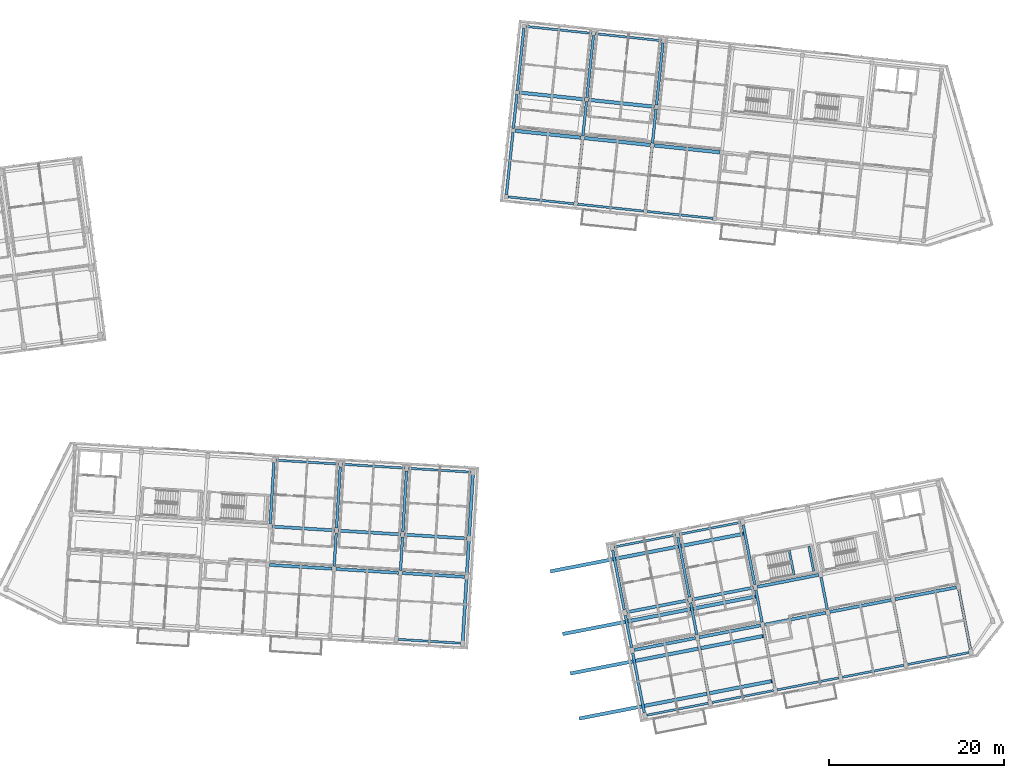
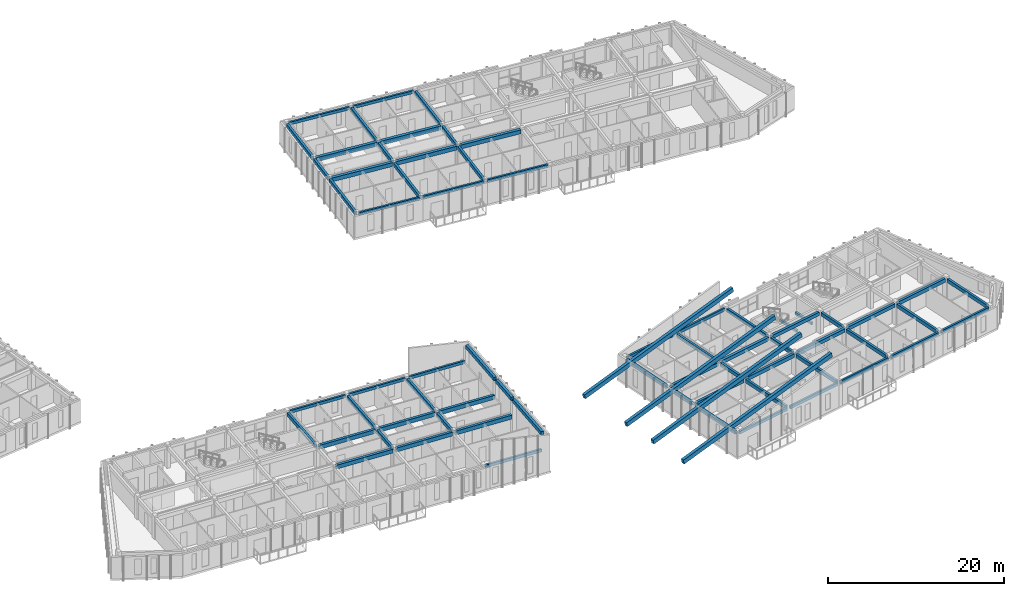
# One storey, part 9 of 64: 71 beams.
"""IFC4 building model written with IfcOpenShell, lengths in metres."""

from ifc_helpers import new_model, si_unit, direction, frame, origin, origin_2d, place, context, subcontext, project, spatial, rectangle, extrude, material, material_profile, profile_set, type_object, element, save


model = new_model("IFC4")

# Units and contexts
model_context = context("Model", 3, precision=1e-05, world=origin(), true_north=direction((0.0, 1.0)))
body_context = subcontext(model_context, "Body", "Model", "MODEL_VIEW")
ifc_project = project(units=[si_unit("LENGTHUNIT", "METRE"), si_unit("AREAUNIT", "SQUARE_METRE"), si_unit("VOLUMEUNIT", "CUBIC_METRE"), si_unit("PLANEANGLEUNIT", "RADIAN"), si_unit("MASSUNIT", "GRAM", prefix="KILO")], contexts=[model_context])

# Site, building, storey
site_placement = place(None, origin())
site = spatial("IfcSite", under=ifc_project, at=site_placement, CompositionType="ELEMENT")
building_placement = place(site_placement, origin())
building = spatial("IfcBuilding", under=site, at=building_placement, Name="Kestramere Prow Commons", CompositionType="ELEMENT")
storey_placement = place(building_placement, frame((0.0, 0.0, 24.64990234375)))
storey = spatial("IfcBuildingStorey", under=building, at=storey_placement, Name="L07", CompositionType="ELEMENT", Elevation=24.64990234375)

# Beams
ifc_material_1 = material(Name="Precast concrete C40/50", Category="concrete")
ifc_material_profile_1 = material_profile(ifc_material_1, rectangle(XDim=0.39990234375, YDim=0.550048828125, at=origin_2d()), Name="PC-BM 400x550")
ifc_profile_set_1 = profile_set([ifc_material_profile_1], Name="Precast concrete C40/50")
beam_type_1 = type_object("IfcBeamType", Name="BM-B1 PC-BM 400x550", PredefinedType="BEAM", material=ifc_profile_set_1)
beam_1_placement = place(storey_placement, frame((111.01806640625, 102.3349609375, 2.72509765625), z_axis=(0.994520503149, -0.104541708502, 0.0), x_axis=(0.104541708502, 0.994520503149, 0.0)))
element("IfcBeam", 1, at=beam_1_placement, inside=storey, type_object=beam_type_1, Name="Block B L07 Longitudinal Beam 2-1", PredefinedType="BEAM", context=body_context, shape_type="SweptSolid", body=[
    extrude(rectangle(XDim=0.39990234375, YDim=0.550048828125, at=origin_2d()), origin(), (0.0, 0.0, 1.0), 7.550048828125),
])
beam_2_placement = place(storey_placement, frame((118.974365234375, 101.49853515625, 2.72509765625), z_axis=(0.994523511366, -0.104513086937, 0.0), x_axis=(0.104513086937, 0.994523511366, 0.0)))
element("IfcBeam", 2, at=beam_2_placement, inside=storey, type_object=beam_type_1, Name="Block B L07 Longitudinal Beam 2-2", PredefinedType="BEAM", context=body_context, shape_type="SweptSolid", body=[
    extrude(rectangle(XDim=0.39990234375, YDim=0.550048828125, at=origin_2d()), origin(), (0.0, 0.0, 1.0), 7.5498046875),
])
for number, where, z_axis, x_axis, name in (
    (3, (126.930419921875, 100.662353515625, 2.72509765625), (0.994523864565, -0.104509725916, 0.0), (0.104509725916, 0.994523864565, 0.0), "Block B L07 Longitudinal Beam 2-3"),
    (4, (111.47802734375, 106.710693359375, 2.72509765625), (0.994523864565, -0.104509725916, 0.0), (0.104509725916, 0.994523864565, 0.0), "Block B L07 Longitudinal Beam 3-1"),
):
    element("IfcBeam", number, at=place(storey_placement, frame(where, z_axis=z_axis, x_axis=x_axis)), inside=storey, type_object=beam_type_1, Name=name, PredefinedType="BEAM", context=body_context, shape_type="SweptSolid", body=[
        extrude(rectangle(XDim=0.39990234375, YDim=0.550048828125, at=origin_2d()), origin(), (0.0, 0.0, 1.0), 7.550048828125),
    ])
beam_3_placement = place(storey_placement, frame((119.434326171875, 105.87451171875, 2.72509765625), z_axis=(0.994520149735, -0.104545070528, 0.0), x_axis=(0.104545070528, 0.994520149735, 0.0)))
element("IfcBeam", 5, at=beam_3_placement, inside=storey, type_object=beam_type_1, Name="Block B L07 Longitudinal Beam 3-2", PredefinedType="BEAM", context=body_context, shape_type="SweptSolid", body=[
    extrude(rectangle(XDim=0.39990234375, YDim=0.550048828125, at=origin_2d()), origin(), (0.0, 0.0, 1.0), 7.5498046875),
])
ifc_material_profile_2 = material_profile(ifc_material_1, rectangle(XDim=0.35009765625, YDim=0.550048828125, at=origin_2d()), Name="PC-BM 350x550")
ifc_profile_set_2 = profile_set([ifc_material_profile_2], Name="Precast concrete C40/50")
beam_type_2 = type_object("IfcBeamType", Name="BM-C1 PC-BM 350x550", PredefinedType="BEAM", material=ifc_profile_set_2)
for number, where, z_axis, x_axis, name in (
    (6, (82.946044921875, 52.68017578125, 2.72509765625), (0.998134602239, -0.061051747017, 0.0), (0.061051747017, 0.998134602239, 0.0), "Block C L07 Longitudinal Beam 2-4"),
    (7, (90.53173828125, 52.21630859375, 2.72509765625), (0.998134602239, -0.061051747017, 0.0), (0.061051747017, 0.998134602239, 0.0), "Block C L07 Longitudinal Beam 2-5"),
    (8, (98.11767578125, 51.752197265625, 2.72509765625), (0.998134602239, -0.061051747017, 0.0), (0.061051747017, 0.998134602239, 0.0), "Block C L07 Longitudinal Beam 2-6"),
    (9, (83.214599609375, 57.072021484375, 2.72509765625), (0.998134602239, -0.061051747017, 0.0), (0.061051747017, 0.998134602239, 0.0), "Block C L07 Longitudinal Beam 3-4"),
):
    element("IfcBeam", number, at=place(storey_placement, frame(where, z_axis=z_axis, x_axis=x_axis)), inside=storey, type_object=beam_type_2, Name=name, PredefinedType="BEAM", context=body_context, shape_type="SweptSolid", body=[
        extrude(rectangle(XDim=0.35009765625, YDim=0.550048828125, at=origin_2d()), origin(), (0.0, 0.0, 1.0), 7.150146484375),
    ])
beam_4_placement = place(storey_placement, frame((90.800537109375, 56.60791015625, 2.72509765625), z_axis=(0.998136555268, -0.061019808568, 0.0), x_axis=(0.061019808568, 0.998136555268, 0.0)))
element("IfcBeam", 10, at=beam_4_placement, inside=storey, type_object=beam_type_2, Name="Block C L07 Longitudinal Beam 3-5", PredefinedType="BEAM", context=body_context, shape_type="SweptSolid", body=[
    extrude(rectangle(XDim=0.35009765625, YDim=0.550048828125, at=origin_2d()), origin(), (0.0, 0.0, 1.0), 7.14990234375),
])
beam_5_placement = place(storey_placement, frame((98.38623046875, 56.14404296875, 2.72509765625), z_axis=(0.998134602239, -0.061051747017, 0.0), x_axis=(0.061051747017, 0.998134602239, 0.0)))
element("IfcBeam", 11, at=beam_5_placement, inside=storey, type_object=beam_type_2, Name="Block C L07 Longitudinal Beam 3-6", PredefinedType="BEAM", context=body_context, shape_type="SweptSolid", body=[
    extrude(rectangle(XDim=0.35009765625, YDim=0.550048828125, at=origin_2d()), origin(), (0.0, 0.0, 1.0), 7.150146484375),
])
ifc_material_profile_3 = material_profile(ifc_material_1, rectangle(XDim=0.35009765625, YDim=0.5, at=origin_2d()), Name="PC-BM 350x500")
ifc_profile_set_3 = profile_set([ifc_material_profile_3], Name="Precast concrete C40/50")
beam_type_3 = type_object("IfcBeamType", Name="BM-D1 PC-BM 350x500", PredefinedType="BEAM", material=ifc_profile_set_3)
for number, where, z_axis, x_axis, name in (
    (12, (124.631103515625, 42.953369140625, 2.75), (0.981627472063, 0.190807510571, 0.0), (-0.190807510571, 0.981627472063, 0.0), "Block D L07 Longitudinal Beam 2-2"),
    (13, (132.091552734375, 44.403564453125, 2.75), (0.981627472063, 0.190807510571, 0.0), (-0.190807510571, 0.981627472063, 0.0), "Block D L07 Longitudinal Beam 2-3"),
):
    element("IfcBeam", number, at=place(storey_placement, frame(where, z_axis=z_axis, x_axis=x_axis)), inside=storey, type_object=beam_type_3, Name=name, PredefinedType="BEAM", context=body_context, shape_type="SweptSolid", body=[
        extrude(rectangle(XDim=0.35009765625, YDim=0.5, at=origin_2d()), origin(), (0.0, 0.0, 1.0), 7.14990234375),
    ])
beam_6_placement = place(storey_placement, frame((139.5517578125, 45.853759765625, 2.75), z_axis=(0.981628715169, 0.190801115182, 0.0), x_axis=(-0.190801115182, 0.981628715169, 0.0)))
element("IfcBeam", 14, at=beam_6_placement, inside=storey, type_object=beam_type_3, Name="Block D L07 Longitudinal Beam 2-4", PredefinedType="BEAM", context=body_context, shape_type="SweptSolid", body=[
    extrude(rectangle(XDim=0.35009765625, YDim=0.5, at=origin_2d()), origin(), (0.0, 0.0, 1.0), 7.150146484375),
])
for number, where, z_axis, x_axis, name in (
    (15, (147.01220703125, 47.303955078125, 2.75), (0.981627472063, 0.190807510571, 0.0), (-0.190807510571, 0.981627472063, 0.0), "Block D L07 Longitudinal Beam 2-5"),
    (16, (154.47265625, 48.754150390625, 2.75), (0.981627472063, 0.190807510571, 0.0), (-0.190807510571, 0.981627472063, 0.0), "Block D L07 Longitudinal Beam 2-6"),
    (17, (123.79150390625, 47.272705078125, 2.75), (0.981627472063, 0.190807510571, 0.0), (-0.190807510571, 0.981627472063, 0.0), "Block D L07 Longitudinal Beam 3-2"),
    (18, (131.251953125, 48.72265625, 2.75), (0.981621075955, 0.19084041302, 0.0), (-0.19084041302, 0.981621075955, 0.0), "Block D L07 Longitudinal Beam 3-3"),
):
    element("IfcBeam", number, at=place(storey_placement, frame(where, z_axis=z_axis, x_axis=x_axis)), inside=storey, type_object=beam_type_3, Name=name, PredefinedType="BEAM", context=body_context, shape_type="SweptSolid", body=[
        extrude(rectangle(XDim=0.35009765625, YDim=0.5, at=origin_2d()), origin(), (0.0, 0.0, 1.0), 7.14990234375),
    ])
beam_7_placement = place(storey_placement, frame((138.712158203125, 50.1728515625, 2.75), z_axis=(0.981628715169, 0.190801115182, 0.0), x_axis=(-0.190801115182, 0.981628715169, 0.0)))
element("IfcBeam", 19, at=beam_7_placement, inside=storey, type_object=beam_type_3, Name="Block D L07 Longitudinal Beam 3-4", PredefinedType="BEAM", context=body_context, shape_type="SweptSolid", body=[
    extrude(rectangle(XDim=0.35009765625, YDim=0.5, at=origin_2d()), origin(), (0.0, 0.0, 1.0), 7.150146484375),
])
ifc_material_2 = material(Name="Concrete C40/50", Category="concrete")
ifc_material_profile_4 = material_profile(ifc_material_2, rectangle(XDim=0.25, YDim=0.35009765625, at=origin_2d()), Name="PC-BM 250x350")
ifc_profile_set_4 = profile_set([ifc_material_profile_4], Name="Concrete C40/50")
beam_type_4 = type_object("IfcBeamType", Name="BM-ST-TRIM", PredefinedType="BEAM", material=ifc_profile_set_4)
beam_8_placement = place(storey_placement, frame((142.92529296875, 51.53173828125, 1.25), z_axis=(-0.190752078966, 0.981638245165, 0.0), x_axis=(-0.981638245165, -0.190752078966, 0.0)))
element("IfcBeam", 20, at=beam_8_placement, inside=storey, type_object=beam_type_4, Name="ST-D1 L07 Landing Trimmer Beam 1A", PredefinedType="BEAM", context=body_context, shape_type="SweptSolid", body=[
    extrude(rectangle(XDim=0.25, YDim=0.35009765625, at=origin_2d()), origin(), (0.0, 0.0, 1.0), 2.889892578125),
])
beam_9_placement = place(storey_placement, frame((145.16357421875, 51.966796875, 1.25), z_axis=(-0.190833481473, 0.981622423516, 0.0), x_axis=(-0.981622423516, -0.190833481473, 0.0)))
element("IfcBeam", 21, at=beam_9_placement, inside=storey, type_object=beam_type_4, Name="ST-D1 L07 Landing Trimmer Beam 1B", PredefinedType="BEAM", context=body_context, shape_type="SweptSolid", body=[
    extrude(rectangle(XDim=0.25, YDim=0.35009765625, at=origin_2d()), origin(), (0.0, 0.0, 1.0), 2.89013671875),
])
ifc_material_profile_5 = material_profile(ifc_material_1, rectangle(XDim=0.300048828125, YDim=0.5, at=origin_2d()), Name="PC-BM 300x500")
ifc_profile_set_5 = profile_set([ifc_material_profile_5], Name="Precast concrete C40/50")
beam_type_5 = type_object("IfcBeamType", Name="BM-TIE-01 PC-BM 300x500", PredefinedType="BEAM", material=ifc_profile_set_5)
beam_10_placement = place(storey_placement, frame((110.0234375, 95.023681640625, 2.75), z_axis=(0.104553253602, 0.994519289487, 0.0), x_axis=(-0.994519289487, 0.104553253602, 0.0)))
element("IfcBeam", 22, at=beam_10_placement, inside=storey, type_object=beam_type_5, Name="Block B L07 Transverse Beam 1-1", PredefinedType="BEAM", context=body_context, shape_type="SweptSolid", body=[
    extrude(rectangle(XDim=0.300048828125, YDim=0.5, at=origin_2d()), origin(), (0.0, 0.0, 1.0), 7.150146484375),
])
beam_11_placement = place(storey_placement, frame((110.81787109375, 102.58203125, 2.75), z_axis=(0.10451426563, 0.994523387498, 0.0), x_axis=(-0.994523387498, 0.10451426563, 0.0)))
element("IfcBeam", 23, at=beam_11_placement, inside=storey, type_object=beam_type_5, Name="Block B L07 Transverse Beam 1-2", PredefinedType="BEAM", context=body_context, shape_type="SweptSolid", body=[
    extrude(rectangle(XDim=0.300048828125, YDim=0.5, at=origin_2d()), origin(), (0.0, 0.0, 1.0), 3.9501953125),
])
for number, where, z_axis, x_axis, name in (
    (24, (111.27783203125, 106.9580078125, 2.75), (0.104519481265, 0.994522839374, 0.0), (-0.994522839374, 0.104519481265, 0.0), "Block B L07 Transverse Beam 1-3"),
    (25, (117.979736328125, 94.1875, 2.75), (0.104519481265, 0.994522839374, 0.0), (-0.994522839374, 0.104519481265, 0.0), "Block B L07 Transverse Beam 2-1"),
):
    element("IfcBeam", number, at=place(storey_placement, frame(where, z_axis=z_axis, x_axis=x_axis)), inside=storey, type_object=beam_type_5, Name=name, PredefinedType="BEAM", context=body_context, shape_type="SweptSolid", body=[
        extrude(rectangle(XDim=0.300048828125, YDim=0.5, at=origin_2d()), origin(), (0.0, 0.0, 1.0), 7.14990234375),
    ])
beam_12_placement = place(storey_placement, frame((118.774169921875, 101.745849609375, 2.75), z_axis=(0.10451426563, 0.994523387498, 0.0), x_axis=(-0.994523387498, 0.10451426563, 0.0)))
element("IfcBeam", 26, at=beam_12_placement, inside=storey, type_object=beam_type_5, Name="Block B L07 Transverse Beam 2-2", PredefinedType="BEAM", context=body_context, shape_type="SweptSolid", body=[
    extrude(rectangle(XDim=0.300048828125, YDim=0.5, at=origin_2d()), origin(), (0.0, 0.0, 1.0), 3.9501953125),
])
beam_13_placement = place(storey_placement, frame((119.234130859375, 106.121826171875, 2.75), z_axis=(0.104519481265, 0.994522839374, 0.0), x_axis=(-0.994522839374, 0.104519481265, 0.0)))
element("IfcBeam", 27, at=beam_13_placement, inside=storey, type_object=beam_type_5, Name="Block B L07 Transverse Beam 2-3", PredefinedType="BEAM", context=body_context, shape_type="SweptSolid", body=[
    extrude(rectangle(XDim=0.300048828125, YDim=0.5, at=origin_2d()), origin(), (0.0, 0.0, 1.0), 7.14990234375),
])
beam_14_placement = place(storey_placement, frame((125.935791015625, 93.351318359375, 2.75), z_axis=(0.104553253602, 0.994519289487, 0.0), x_axis=(-0.994519289487, 0.104553253602, 0.0)))
element("IfcBeam", 28, at=beam_14_placement, inside=storey, type_object=beam_type_5, Name="Block B L07 Transverse Beam 3-1", PredefinedType="BEAM", context=body_context, shape_type="SweptSolid", body=[
    extrude(rectangle(XDim=0.300048828125, YDim=0.5, at=origin_2d()), origin(), (0.0, 0.0, 1.0), 7.150146484375),
])
beam_15_placement = place(storey_placement, frame((126.730224609375, 100.90966796875, 2.75), z_axis=(0.10451426563, 0.994523387498, 0.0), x_axis=(-0.994523387498, 0.10451426563, 0.0)))
element("IfcBeam", 29, at=beam_15_placement, inside=storey, type_object=beam_type_5, Name="Block B L07 Transverse Beam 3-2", PredefinedType="BEAM", context=body_context, shape_type="SweptSolid", body=[
    extrude(rectangle(XDim=0.300048828125, YDim=0.5, at=origin_2d()), origin(), (0.0, 0.0, 1.0), 3.9501953125),
])
beam_16_placement = place(storey_placement, frame((127.190185546875, 105.28564453125, 2.75), z_axis=(0.104519481265, 0.994522839374, 0.0), x_axis=(-0.994522839374, 0.104519481265, 0.0)))
element("IfcBeam", 30, at=beam_16_placement, inside=storey, type_object=beam_type_5, Name="Block B L07 Transverse Beam 3-3", PredefinedType="BEAM", context=body_context, shape_type="SweptSolid", body=[
    extrude(rectangle(XDim=0.300048828125, YDim=0.5, at=origin_2d()), origin(), (0.0, 0.0, 1.0), 7.14990234375),
])
beam_17_placement = place(storey_placement, frame((83.00830078125, 57.38525390625, 2.75), z_axis=(0.061071060859, 0.998133420704, 0.0), x_axis=(-0.998133420704, 0.061071060859, 0.0)))
element("IfcBeam", 31, at=beam_17_placement, inside=storey, type_object=beam_type_5, Name="Block C L07 Transverse Beam 4-3", PredefinedType="BEAM", context=body_context, shape_type="SweptSolid", body=[
    extrude(rectangle(XDim=0.300048828125, YDim=0.5, at=origin_2d()), origin(), (0.0, 0.0, 1.0), 7.0),
])
beam_18_placement = place(storey_placement, frame((90.32568359375, 52.529296875, 2.75), z_axis=(0.061034300063, 0.998135669243, 0.0), x_axis=(-0.998135669243, 0.061034300063, 0.0)))
element("IfcBeam", 32, at=beam_18_placement, inside=storey, type_object=beam_type_5, Name="Block C L07 Transverse Beam 5-2", PredefinedType="BEAM", context=body_context, shape_type="SweptSolid", body=[
    extrude(rectangle(XDim=0.300048828125, YDim=0.5, at=origin_2d()), origin(), (0.0, 0.0, 1.0), 3.800048828125),
])
beam_19_placement = place(storey_placement, frame((90.59423828125, 56.921142578125, 2.75), z_axis=(0.061034188237, 0.998135676081, 0.0), x_axis=(-0.998135676081, 0.061034188237, 0.0)))
element("IfcBeam", 33, at=beam_19_placement, inside=storey, type_object=beam_type_5, Name="Block C L07 Transverse Beam 5-3", PredefinedType="BEAM", context=body_context, shape_type="SweptSolid", body=[
    extrude(rectangle(XDim=0.300048828125, YDim=0.5, at=origin_2d()), origin(), (0.0, 0.0, 1.0), 7.0),
])
beam_20_placement = place(storey_placement, frame((97.911376953125, 52.0654296875, 2.75), z_axis=(0.061034300063, 0.998135669243, 0.0), x_axis=(-0.998135669243, 0.061034300063, 0.0)))
element("IfcBeam", 34, at=beam_20_placement, inside=storey, type_object=beam_type_5, Name="Block C L07 Transverse Beam 6-2", PredefinedType="BEAM", context=body_context, shape_type="SweptSolid", body=[
    extrude(rectangle(XDim=0.300048828125, YDim=0.5, at=origin_2d()), origin(), (0.0, 0.0, 1.0), 3.800048828125),
])
beam_21_placement = place(storey_placement, frame((98.179931640625, 56.457275390625, 2.75), z_axis=(0.061071060859, 0.998133420704, 0.0), x_axis=(-0.998133420704, 0.061071060859, 0.0)))
element("IfcBeam", 35, at=beam_21_placement, inside=storey, type_object=beam_type_5, Name="Block C L07 Transverse Beam 6-3", PredefinedType="BEAM", context=body_context, shape_type="SweptSolid", body=[
    extrude(rectangle(XDim=0.300048828125, YDim=0.5, at=origin_2d()), origin(), (0.0, 0.0, 1.0), 7.0),
])
beam_22_placement = place(storey_placement, frame((125.79833984375, 35.769287109375, 2.75), z_axis=(-0.190817005532, 0.981625626397, 0.0), x_axis=(-0.981625626397, -0.190817005532, 0.0)))
element("IfcBeam", 36, at=beam_22_placement, inside=storey, type_object=beam_type_5, Name="Block D L07 Transverse Beam 2-1", PredefinedType="BEAM", context=body_context, shape_type="SweptSolid", body=[
    extrude(rectangle(XDim=0.300048828125, YDim=0.5, at=origin_2d()), origin(), (0.0, 0.0, 1.0), 6.949951171875),
])
beam_23_placement = place(storey_placement, frame((124.34814453125, 43.2294921875, 2.75), z_axis=(-0.190817382683, 0.981625553083, 0.0), x_axis=(-0.981625553083, -0.190817382683, 0.0)))
element("IfcBeam", 37, at=beam_23_placement, inside=storey, type_object=beam_type_5, Name="Block D L07 Transverse Beam 2-2", PredefinedType="BEAM", context=body_context, shape_type="SweptSolid", body=[
    extrude(rectangle(XDim=0.300048828125, YDim=0.5, at=origin_2d()), origin(), (0.0, 0.0, 1.0), 3.75),
])
for number, where, z_axis, x_axis, name in (
    (38, (123.508544921875, 47.548583984375, 2.75), (-0.190776577325, 0.981633484323, 0.0), (-0.981633484323, -0.190776577325, 0.0), "Block D L07 Transverse Beam 2-3"),
    (39, (133.2587890625, 37.21923828125, 2.75), (-0.19081042584, 0.981626905393, 0.0), (-0.981626905393, -0.19081042584, 0.0), "Block D L07 Transverse Beam 3-1"),
):
    element("IfcBeam", number, at=place(storey_placement, frame(where, z_axis=z_axis, x_axis=x_axis)), inside=storey, type_object=beam_type_5, Name=name, PredefinedType="BEAM", context=body_context, shape_type="SweptSolid", body=[
        extrude(rectangle(XDim=0.300048828125, YDim=0.5, at=origin_2d()), origin(), (0.0, 0.0, 1.0), 6.9501953125),
    ])
beam_24_placement = place(storey_placement, frame((131.80859375, 44.6796875, 2.75), z_axis=(-0.190817382683, 0.981625553083, 0.0), x_axis=(-0.981625553083, -0.190817382683, 0.0)))
element("IfcBeam", 40, at=beam_24_placement, inside=storey, type_object=beam_type_5, Name="Block D L07 Transverse Beam 3-2", PredefinedType="BEAM", context=body_context, shape_type="SweptSolid", body=[
    extrude(rectangle(XDim=0.300048828125, YDim=0.5, at=origin_2d()), origin(), (0.0, 0.0, 1.0), 3.75),
])
for number, where, z_axis, x_axis, name in (
    (41, (130.968994140625, 48.998779296875, 2.75), (-0.190817005532, 0.981625626397, 0.0), (-0.981625626397, -0.190817005532, 0.0), "Block D L07 Transverse Beam 3-3"),
    (42, (140.718994140625, 38.66943359375, 2.75), (-0.190783155939, 0.981632205773, 0.0), (-0.981632205773, -0.190783155939, 0.0), "Block D L07 Transverse Beam 4-1"),
):
    element("IfcBeam", number, at=place(storey_placement, frame(where, z_axis=z_axis, x_axis=x_axis)), inside=storey, type_object=beam_type_5, Name=name, PredefinedType="BEAM", context=body_context, shape_type="SweptSolid", body=[
        extrude(rectangle(XDim=0.300048828125, YDim=0.5, at=origin_2d()), origin(), (0.0, 0.0, 1.0), 6.949951171875),
    ])
beam_25_placement = place(storey_placement, frame((139.26904296875, 46.1298828125, 2.75), z_axis=(-0.190817382683, 0.981625553083, 0.0), x_axis=(-0.981625553083, -0.190817382683, 0.0)))
element("IfcBeam", 43, at=beam_25_placement, inside=storey, type_object=beam_type_5, Name="Block D L07 Transverse Beam 4-2", PredefinedType="BEAM", context=body_context, shape_type="SweptSolid", body=[
    extrude(rectangle(XDim=0.300048828125, YDim=0.5, at=origin_2d()), origin(), (0.0, 0.0, 1.0), 3.75),
])
for number, where, z_axis, x_axis, name in (
    (44, (138.429443359375, 50.448974609375, 2.75), (-0.190817005532, 0.981625626397, 0.0), (-0.981625626397, -0.190817005532, 0.0), "Block D L07 Transverse Beam 4-3"),
    (45, (148.179443359375, 40.11962890625, 2.75), (-0.190817005532, 0.981625626397, 0.0), (-0.981625626397, -0.190817005532, 0.0), "Block D L07 Transverse Beam 5-1"),
):
    element("IfcBeam", number, at=place(storey_placement, frame(where, z_axis=z_axis, x_axis=x_axis)), inside=storey, type_object=beam_type_5, Name=name, PredefinedType="BEAM", context=body_context, shape_type="SweptSolid", body=[
        extrude(rectangle(XDim=0.300048828125, YDim=0.5, at=origin_2d()), origin(), (0.0, 0.0, 1.0), 6.949951171875),
    ])
beam_26_placement = place(storey_placement, frame((146.729248046875, 47.580078125, 2.75), z_axis=(-0.190829578001, 0.981623182367, 0.0), x_axis=(-0.981623182367, -0.190829578001, 0.0)))
element("IfcBeam", 46, at=beam_26_placement, inside=storey, type_object=beam_type_5, Name="Block D L07 Transverse Beam 5-2", PredefinedType="BEAM", context=body_context, shape_type="SweptSolid", body=[
    extrude(rectangle(XDim=0.300048828125, YDim=0.5, at=origin_2d()), origin(), (0.0, 0.0, 1.0), 3.749755859375),
])
for number, where, z_axis, x_axis, name in (
    (47, (155.639892578125, 41.56982421875, 2.75), (-0.190817005532, 0.981625626397, 0.0), (-0.981625626397, -0.190817005532, 0.0), "Block D L07 Transverse Beam 6-1"),
    (48, (163.10009765625, 43.02001953125, 2.75), (-0.190783155939, 0.981632205773, 0.0), (-0.981632205773, -0.190783155939, 0.0), "Block D L07 Transverse Beam 7-1"),
):
    element("IfcBeam", number, at=place(storey_placement, frame(where, z_axis=z_axis, x_axis=x_axis)), inside=storey, type_object=beam_type_5, Name=name, PredefinedType="BEAM", context=body_context, shape_type="SweptSolid", body=[
        extrude(rectangle(XDim=0.300048828125, YDim=0.5, at=origin_2d()), origin(), (0.0, 0.0, 1.0), 6.949951171875),
    ])
ifc_material_profile_6 = material_profile(ifc_material_1, rectangle(XDim=0.39990234375, YDim=0.60009765625, at=origin_2d()), Name="PC-RB 400x600")
ifc_profile_set_6 = profile_set([ifc_material_profile_6], Name="Precast concrete C40/50")
beam_type_6 = type_object("IfcBeamType", Name="RB-PR-01 PC-RB 400x600", PredefinedType="BEAM", material=ifc_profile_set_6)
for number, where, z_axis, x_axis, name in (
    (49, (140.364990234375, 39.39013671875, 6.298828125), (-0.961195651982, -0.18683625032, -0.202965844854), (0.190807757751, -0.981627424017, 0.0), "Block D Lower Prow Raking Rafter 1"),
    (50, (139.36328125, 44.543701171875, 6.298828125), (-0.961195651982, -0.18683625032, -0.202965844854), (0.190807757751, -0.981627424017, 0.0), "Block D Lower Prow Raking Rafter 2"),
    (51, (138.485595703125, 49.05908203125, 6.298828125), (-0.961195651982, -0.18683625032, -0.202965844854), (0.190807757751, -0.981627424017, 0.0), "Block D Lower Prow Raking Rafter 3"),
):
    element("IfcBeam", number, at=place(storey_placement, frame(where, z_axis=z_axis, x_axis=x_axis)), inside=storey, type_object=beam_type_6, Name=name, PredefinedType="BEAM", context=body_context, shape_type="SweptSolid", body=[
        extrude(rectangle(XDim=0.39990234375, YDim=0.60009765625, at=origin_2d()), origin(), (0.0, 0.0, 1.0), 22.855712890625),
    ])
beam_27_placement = place(storey_placement, frame((137.0927734375, 56.22509765625, 6.298828125), z_axis=(-0.96119646489, -0.186834332026, -0.202963760953), x_axis=(0.19080571451, -0.981627821178, 0.0)))
element("IfcBeam", 52, at=beam_27_placement, inside=storey, type_object=beam_type_6, Name="Block D Lower Prow Raking Rafter 4", PredefinedType="BEAM", context=body_context, shape_type="SweptSolid", body=[
    extrude(rectangle(XDim=0.39990234375, YDim=0.60009765625, at=origin_2d()), origin(), (0.0, 0.0, 1.0), 22.85595703125),
])
ifc_material_profile_7 = material_profile(ifc_material_1, rectangle(XDim=0.35009765625, YDim=0.5, at=origin_2d()), Name="PC-RB 350x500")
ifc_profile_set_7 = profile_set([ifc_material_profile_7], Name="Precast concrete C40/50")
beam_type_7 = type_object("IfcBeamType", Name="RB-PR-02 PC-RB 350x500", PredefinedType="BEAM", material=ifc_profile_set_7)
beam_28_placement = place(storey_placement, frame((105.02587890625, 43.895751953125, 4.951171875), z_axis=(0.061068241126, 0.998133593226, 0.0), x_axis=(-0.998133593226, 0.061068241126, 0.0)))
element("IfcBeam", 53, at=beam_28_placement, inside=storey, type_object=beam_type_7, Name="Block C Prow Eave Transverse Girder 1", PredefinedType="BEAM", context=body_context, shape_type="SweptSolid", body=[
    extrude(rectangle(XDim=0.35009765625, YDim=0.5, at=origin_2d()), origin(), (0.0, 0.0, 1.0), 7.239990234375),
])
beam_29_placement = place(storey_placement, frame((105.489990234375, 51.481689453125, 4.951171875), z_axis=(0.061035113863, 0.998135619481, 0.0), x_axis=(-0.998135619481, 0.061035113863, 0.0)))
element("IfcBeam", 54, at=beam_29_placement, inside=storey, type_object=beam_type_7, Name="Block C Prow Eave Transverse Girder 2", PredefinedType="BEAM", context=body_context, shape_type="SweptSolid", body=[
    extrude(rectangle(XDim=0.35009765625, YDim=0.5, at=origin_2d()), origin(), (0.0, 0.0, 1.0), 4.0400390625),
])
beam_30_placement = place(storey_placement, frame((105.758544921875, 55.87353515625, 4.951171875), z_axis=(0.061036700418, 0.998135522463, 0.0), x_axis=(-0.998135522463, 0.061036700418, 0.0)))
element("IfcBeam", 55, at=beam_30_placement, inside=storey, type_object=beam_type_7, Name="Block C Prow Eave Transverse Girder 3", PredefinedType="BEAM", context=body_context, shape_type="SweptSolid", body=[
    extrude(rectangle(XDim=0.35009765625, YDim=0.5, at=origin_2d()), origin(), (0.0, 0.0, 1.0), 7.23974609375),
])
ifc_material_profile_8 = material_profile(ifc_material_1, rectangle(XDim=0.25, YDim=0.39990234375, at=origin_2d()), Name="PC-SP 250x400")
ifc_profile_set_8 = profile_set([ifc_material_profile_8], Name="Precast concrete C40/50")
beam_type_8 = type_object("IfcBeamType", Name="SP-EXT-01 PC-SP 250x400", PredefinedType="SPANDREL", material=ifc_profile_set_8)
for number, where, z_axis, x_axis, name in (
    (56, (110.223876953125, 94.7763671875, 2.800048828125), (0.994523511366, -0.104513086937, 0.0), (0.104513086937, 0.994523511366, 0.0), "Block B L07 Longitudinal Beam 1-1"),
    (57, (118.179931640625, 93.940185546875, 2.800048828125), (0.994523511366, -0.104513086937, 0.0), (0.104513086937, 0.994523511366, 0.0), "Block B L07 Longitudinal Beam 1-2"),
    (58, (126.13623046875, 93.10400390625, 2.800048828125), (0.994523511366, -0.104513086937, 0.0), (0.104513086937, 0.994523511366, 0.0), "Block B L07 Longitudinal Beam 1-3"),
):
    element("IfcBeam", number, at=place(storey_placement, frame(where, z_axis=z_axis, x_axis=x_axis)), inside=storey, type_object=beam_type_8, Name=name, PredefinedType="SPANDREL", context=body_context, shape_type="SweptSolid", body=[
        extrude(rectangle(XDim=0.25, YDim=0.39990234375, at=origin_2d()), origin(), (0.0, 0.0, 1.0), 7.5498046875),
    ])
beam_31_placement = place(storey_placement, frame((112.2724609375, 114.26904296875, 2.800048828125), z_axis=(0.994523864565, -0.104509725916, 0.0), x_axis=(0.104509725916, 0.994523864565, 0.0)))
element("IfcBeam", 59, at=beam_31_placement, inside=storey, type_object=beam_type_8, Name="Block B L07 Longitudinal Beam 4-1", PredefinedType="SPANDREL", context=body_context, shape_type="SweptSolid", body=[
    extrude(rectangle(XDim=0.25, YDim=0.39990234375, at=origin_2d()), origin(), (0.0, 0.0, 1.0), 7.550048828125),
])
beam_32_placement = place(storey_placement, frame((120.228759765625, 113.432861328125, 2.800048828125), z_axis=(0.994523511366, -0.104513086937, 0.0), x_axis=(0.104513086937, 0.994523511366, 0.0)))
element("IfcBeam", 60, at=beam_32_placement, inside=storey, type_object=beam_type_8, Name="Block B L07 Longitudinal Beam 4-2", PredefinedType="SPANDREL", context=body_context, shape_type="SweptSolid", body=[
    extrude(rectangle(XDim=0.25, YDim=0.39990234375, at=origin_2d()), origin(), (0.0, 0.0, 1.0), 7.5498046875),
])
for number, where, z_axis, x_axis, name in (
    (61, (97.65380859375, 44.16650390625, 2.800048828125), (0.998134474962, -0.061053827828, 0.0), (0.061053827828, 0.998134474962, 0.0), "Block C L07 Longitudinal Beam 1-6"),
    (62, (83.6787109375, 64.65771484375, 2.800048828125), (0.998134474962, -0.061053827828, 0.0), (0.061053827828, 0.998134474962, 0.0), "Block C L07 Longitudinal Beam 4-4"),
):
    element("IfcBeam", number, at=place(storey_placement, frame(where, z_axis=z_axis, x_axis=x_axis)), inside=storey, type_object=beam_type_8, Name=name, PredefinedType="SPANDREL", context=body_context, shape_type="SweptSolid", body=[
        extrude(rectangle(XDim=0.25, YDim=0.39990234375, at=origin_2d()), origin(), (0.0, 0.0, 1.0), 7.14990234375),
    ])
beam_33_placement = place(storey_placement, frame((91.264404296875, 64.19384765625, 2.800048828125), z_axis=(0.998134602239, -0.061051747017, 0.0), x_axis=(0.061051747017, 0.998134602239, 0.0)))
element("IfcBeam", 63, at=beam_33_placement, inside=storey, type_object=beam_type_8, Name="Block C L07 Longitudinal Beam 4-5", PredefinedType="SPANDREL", context=body_context, shape_type="SweptSolid", body=[
    extrude(rectangle(XDim=0.25, YDim=0.39990234375, at=origin_2d()), origin(), (0.0, 0.0, 1.0), 7.150146484375),
])
for number, where, z_axis, x_axis, name in (
    (64, (98.850341796875, 63.72998046875, 2.800048828125), (0.998134474962, -0.061053827828, 0.0), (0.061053827828, 0.998134474962, 0.0), "Block C L07 Longitudinal Beam 4-6"),
    (65, (126.081298828125, 35.4931640625, 2.800048828125), (0.981627472063, 0.190807510571, 0.0), (-0.190807510571, 0.981627472063, 0.0), "Block D L07 Longitudinal Beam 1-2"),
):
    element("IfcBeam", number, at=place(storey_placement, frame(where, z_axis=z_axis, x_axis=x_axis)), inside=storey, type_object=beam_type_8, Name=name, PredefinedType="SPANDREL", context=body_context, shape_type="SweptSolid", body=[
        extrude(rectangle(XDim=0.25, YDim=0.39990234375, at=origin_2d()), origin(), (0.0, 0.0, 1.0), 7.14990234375),
    ])
beam_34_placement = place(storey_placement, frame((133.54150390625, 36.943115234375, 2.800048828125), z_axis=(0.981622319481, 0.190834016612, 0.0), x_axis=(-0.190834016612, 0.981622319481, 0.0)))
element("IfcBeam", 66, at=beam_34_placement, inside=storey, type_object=beam_type_8, Name="Block D L07 Longitudinal Beam 1-3", PredefinedType="SPANDREL", context=body_context, shape_type="SweptSolid", body=[
    extrude(rectangle(XDim=0.25, YDim=0.39990234375, at=origin_2d()), origin(), (0.0, 0.0, 1.0), 7.150146484375),
])
for number, where, z_axis, x_axis, name in (
    (67, (141.001953125, 38.393310546875, 2.800048828125), (0.981627472063, 0.190807510571, 0.0), (-0.190807510571, 0.981627472063, 0.0), "Block D L07 Longitudinal Beam 1-4"),
    (68, (148.46240234375, 39.843505859375, 2.800048828125), (0.981627472063, 0.190807510571, 0.0), (-0.190807510571, 0.981627472063, 0.0), "Block D L07 Longitudinal Beam 1-5"),
):
    element("IfcBeam", number, at=place(storey_placement, frame(where, z_axis=z_axis, x_axis=x_axis)), inside=storey, type_object=beam_type_8, Name=name, PredefinedType="SPANDREL", context=body_context, shape_type="SweptSolid", body=[
        extrude(rectangle(XDim=0.25, YDim=0.39990234375, at=origin_2d()), origin(), (0.0, 0.0, 1.0), 7.14990234375),
    ])
for number, where, z_axis, x_axis, name in (
    (69, (155.922607421875, 41.293701171875, 2.800048828125), (0.981628715169, 0.190801115182, 0.0), (-0.190801115182, 0.981628715169, 0.0), "Block D L07 Longitudinal Beam 1-6"),
    (70, (122.34130859375, 54.73291015625, 2.800048828125), (0.981628715169, 0.190801115182, 0.0), (-0.190801115182, 0.981628715169, 0.0), "Block D L07 Longitudinal Beam 4-2"),
):
    element("IfcBeam", number, at=place(storey_placement, frame(where, z_axis=z_axis, x_axis=x_axis)), inside=storey, type_object=beam_type_8, Name=name, PredefinedType="SPANDREL", context=body_context, shape_type="SweptSolid", body=[
        extrude(rectangle(XDim=0.25, YDim=0.39990234375, at=origin_2d()), origin(), (0.0, 0.0, 1.0), 7.150146484375),
    ])
beam_35_placement = place(storey_placement, frame((129.8017578125, 56.18310546875, 2.800048828125), z_axis=(0.981627472063, 0.190807510571, 0.0), x_axis=(-0.190807510571, 0.981627472063, 0.0)))
element("IfcBeam", 71, at=beam_35_placement, inside=storey, type_object=beam_type_8, Name="Block D L07 Longitudinal Beam 4-3", PredefinedType="SPANDREL", context=body_context, shape_type="SweptSolid", body=[
    extrude(rectangle(XDim=0.25, YDim=0.39990234375, at=origin_2d()), origin(), (0.0, 0.0, 1.0), 7.14990234375),
])

save(model, "model.ifc")
